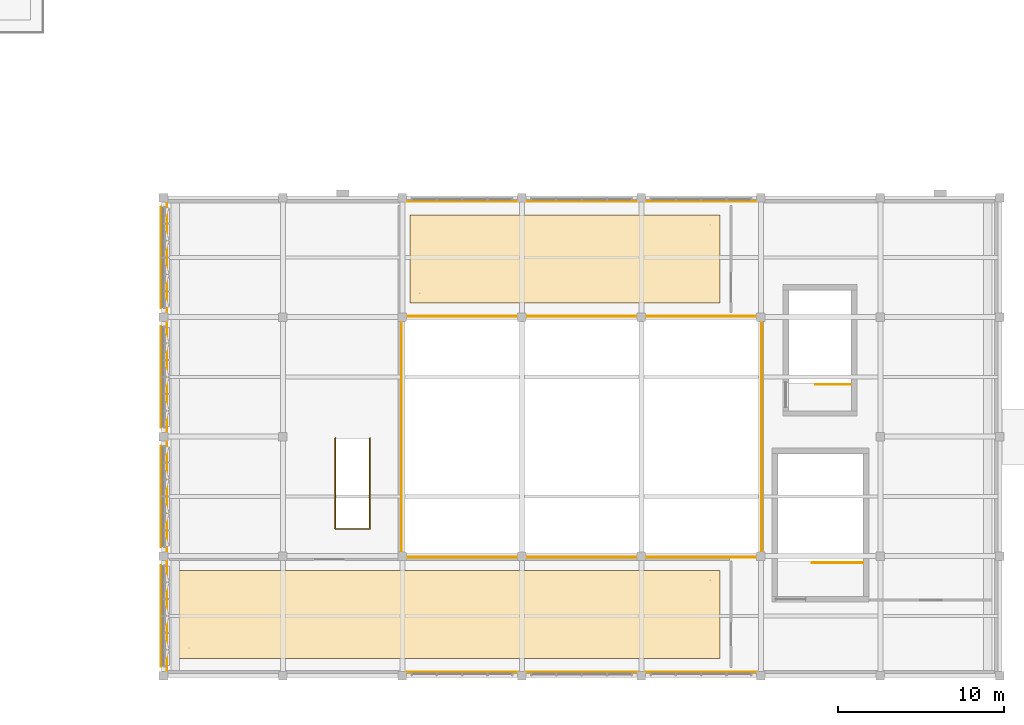
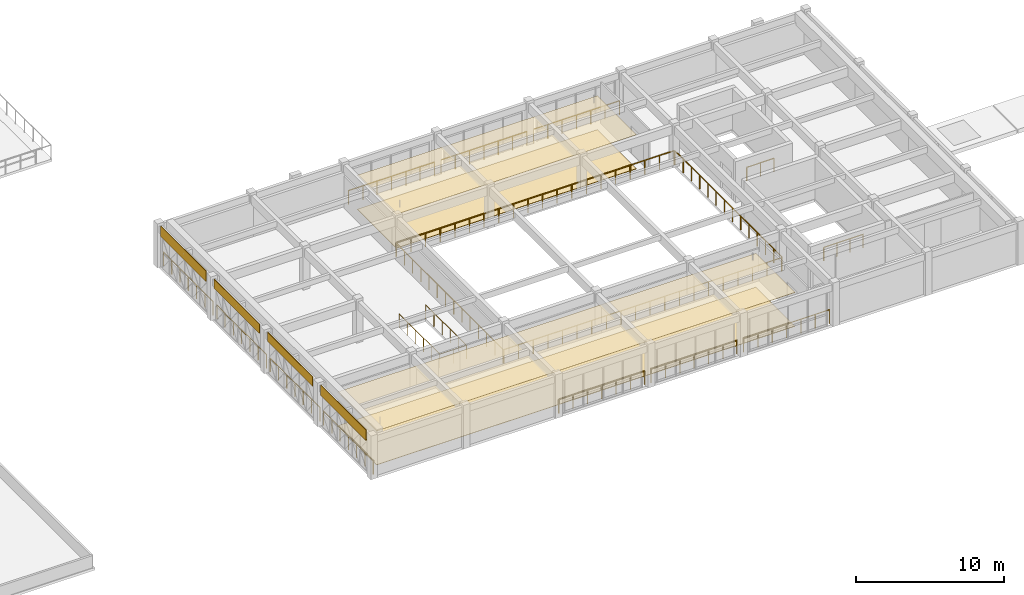
# One storey, part 63 of 74: 17 railings, 8 coverings.
"""IFC4 building model written with IfcOpenShell, lengths in metres."""

import ifcopenshell
import ifcopenshell.guid

model = None  # the IFC model being written
_history = None  # IfcOwnerHistory: only IFC2X3 demands one
_inside = {}  # id of a spatial element -> (the spatial element, [elements in it])
_under = {}  # id of a project, library or spatial element -> (it, [spatial elements below it])
_declared = {}  # id of a project -> (the project, [libraries it declares])
_typed = {}  # id of a type object -> (the type object, [elements of that type])
_made_of = {}  # id of a material, layer set ... -> (it, [elements and type objects made of it])


def new_model(schema):
    """Start an empty IFC model of exactly this schema.

    Asked for "IFC4X3", IfcOpenShell would pick the latest addendum, in which some entities
    have other attributes; the version numbers below select the first issue.
    IFC2X3 requires an IfcOwnerHistory on every rooted entity: one is made here for all.
    """
    global model, _history
    if schema == "IFC4X3":
        model = ifcopenshell.file(schema_version=(4, 3, 0, 0))
    else:
        model = ifcopenshell.file(schema=schema)
    _inside.clear()
    _under.clear()
    _declared.clear()
    _typed.clear()
    _made_of.clear()
    _history = None
    if model.schema == "IFC2X3":
        org = make("IfcOrganization", Name="unknown")
        user = make(
            "IfcPersonAndOrganization",
            ThePerson=make("IfcPerson", FamilyName="unknown"),
            TheOrganization=org,
        )
        app = make(
            "IfcApplication",
            ApplicationDeveloper=org,
            Version="unknown",
            ApplicationFullName="unknown",
            ApplicationIdentifier="unknown",
        )
        _history = make(
            "IfcOwnerHistory",
            OwningUser=user,
            OwningApplication=app,
            ChangeAction="ADDED",
            CreationDate=0,
        )
    return model


def make(cls, **values):
    """One entity of the class cls with the attributes given. An attribute that is None is left unset."""
    return model.create_entity(
        cls, **{name: value for name, value in values.items() if value is not None}
    )


def rooted(cls, **values):
    """An entity with a GlobalId (a new one), such as an element, a storey or a relation."""
    return make(cls, GlobalId=ifcopenshell.guid.new(), OwnerHistory=_history, **values)


def si_unit(unit_type, name, prefix=None):
    """IfcSIUnit, for example si_unit("LENGTHUNIT", "METRE", prefix="MILLI")."""
    return make("IfcSIUnit", UnitType=unit_type, Prefix=prefix, Name=name)


def assignment(units):
    """IfcUnitAssignment: the units of a project."""
    return None if units is None else make("IfcUnitAssignment", Units=units)


def point(xyz):
    """IfcCartesianPoint."""
    return None if xyz is None else make("IfcCartesianPoint", Coordinates=xyz)


def direction(xyz):
    """IfcDirection."""
    return None if xyz is None else make("IfcDirection", DirectionRatios=xyz)


def frame(location, z_axis=None, x_axis=None):
    """IfcAxis2Placement3D, a coordinate frame: its origin and axes. An axis left out is left unset."""
    return make(
        "IfcAxis2Placement3D",
        Location=point(location),
        Axis=direction(z_axis),
        RefDirection=direction(x_axis),
    )


def frame_2d(location, x_axis=None):
    """IfcAxis2Placement2D, a coordinate frame in the plane: its origin and x axis."""
    return make(
        "IfcAxis2Placement2D", Location=point(location), RefDirection=direction(x_axis)
    )


def origin():
    """The frame at (0, 0, 0) with its axes left unset."""
    return frame((0.0, 0.0, 0.0))


def origin_2d():
    """The frame at (0, 0) in the plane with its x axis left unset."""
    return frame_2d((0.0, 0.0))


def place(relative_to, where):
    """IfcLocalPlacement: puts the frame where relative to a parent placement (None: the world)."""
    return make(
        "IfcLocalPlacement", PlacementRelTo=relative_to, RelativePlacement=where
    )


def context(
    kind, dimensions, precision=None, world=None, true_north=None, identifier=None
):
    """IfcGeometricRepresentationContext, for example the 3D "Model" context."""
    return make(
        "IfcGeometricRepresentationContext",
        ContextIdentifier=identifier,
        ContextType=kind,
        CoordinateSpaceDimension=dimensions,
        Precision=precision,
        WorldCoordinateSystem=world,
        TrueNorth=true_north,
    )


def subcontext(parent, identifier, kind, view, scale=None):
    """IfcGeometricRepresentationSubContext, for example "Body" below "Model"."""
    return make(
        "IfcGeometricRepresentationSubContext",
        ContextIdentifier=identifier,
        ContextType=kind,
        ParentContext=parent,
        TargetScale=scale,
        TargetView=view,
    )


def project(units=None, contexts=None):
    """IfcProject with its units and contexts."""
    return rooted(
        "IfcProject",
        Name="project",
        RepresentationContexts=contexts,
        UnitsInContext=assignment(units),
    )


def spatial(cls, under=None, at=None, **own):
    """A site, building, storey or space (cls), placed at a placement, below another one or the project."""
    s = rooted(cls, ObjectPlacement=at, **own)
    if under is not None:
        _under.setdefault(under.id(), (under, []))[1].append(s)
    return s


def polyline(points):
    """IfcPolyline through the points."""
    return make("IfcPolyline", Points=[point(p) for p in points])


def profile(cls, at=None, kind="AREA", **sizes):
    """A parametric profile (cls). Its sizes go by their IFC names, for example OverallWidth=200.0."""
    return make(cls, ProfileType=kind, Position=at, **sizes)


def circle(**sizes):
    """IfcCircleProfileDef."""
    return profile("IfcCircleProfileDef", **sizes)


def outline(outer, holes=None, kind="AREA"):
    """IfcArbitraryClosedProfileDef: a profile drawn as a closed curve; with holes, ...WithVoids."""
    if holes is None:
        return make("IfcArbitraryClosedProfileDef", ProfileType=kind, OuterCurve=outer)
    return make(
        "IfcArbitraryProfileDefWithVoids",
        ProfileType=kind,
        OuterCurve=outer,
        InnerCurves=holes,
    )


def extrude(swept, where, along, depth):
    """IfcExtrudedAreaSolid: the profile swept, set in the frame where, extruded along a direction by depth."""
    return make(
        "IfcExtrudedAreaSolid",
        SweptArea=swept,
        Position=where,
        ExtrudedDirection=direction(along),
        Depth=depth,
    )


def shape(context_of_items, identifier, shape_type, items):
    """IfcShapeRepresentation: the items that make up one representation, for example the "Body"."""
    return make(
        "IfcShapeRepresentation",
        ContextOfItems=context_of_items,
        RepresentationIdentifier=identifier,
        RepresentationType=shape_type,
        Items=items,
    )


def material(Name=None, Category=None):
    """IfcMaterial."""
    return make("IfcMaterial", Name=Name, Category=Category)


def layer(
    of_material, thickness, ventilated=None, Name=None, Category=None, Priority=None
):
    """IfcMaterialLayer: one layer of a wall or slab, of a material (None: an air gap)."""
    return make(
        "IfcMaterialLayer",
        Material=of_material,
        LayerThickness=thickness,
        IsVentilated=ventilated,
        Name=Name,
        Category=Category,
        Priority=Priority,
    )


def layer_set(layers, Name=None):
    """IfcMaterialLayerSet."""
    return make("IfcMaterialLayerSet", MaterialLayers=layers, LayerSetName=Name)


def made_of(thing, what):
    """Note that an element or type object is made of a material, layer set ...; save() writes the relation."""
    if what is not None:
        _made_of.setdefault(what.id(), (what, []))[1].append(thing)
    return thing


def type_object(cls, material=None, **own):
    """A type object (cls), such as IfcWallType, which elements share."""
    return made_of(rooted(cls, **own), material)


def element(
    cls,
    number,
    at=None,
    inside=None,
    cuts=None,
    type_object=None,
    material=None,
    context=None,
    identifier="Body",
    shape_type=None,
    held_by="IfcProductDefinitionShape",
    body=None,
    shapes=None,
    **own,
):
    """One element of the class cls, such as IfcWall. Its Tag is "e" and its number.

    at: its placement. inside: the storey or other place that contains it. cuts: it is an
    opening in that element (IfcRelVoidsElement). A single representation is given by context,
    identifier, shape_type and body (its items); several are given by shapes. held_by: the class
    of the entity that holds the representations. save() writes the other relations.
    """
    e = rooted(cls, Tag="e%d" % number, ObjectPlacement=at, **own)
    if body is not None:
        shapes = [shape(context, identifier, shape_type, body)]
    if shapes is not None:
        e.Representation = make(held_by, Representations=shapes)
    if inside is not None:
        _inside.setdefault(inside.id(), (inside, []))[1].append(e)
    if cuts is not None:
        rooted(
            "IfcRelVoidsElement", RelatingBuildingElement=cuts, RelatedOpeningElement=e
        )
    if type_object is not None:
        _typed.setdefault(type_object.id(), (type_object, []))[1].append(e)
    return made_of(e, material)


def aggregate(whole, parts):
    """IfcRelAggregates: a whole, such as a stair, and the parts it consists of."""
    return rooted("IfcRelAggregates", RelatingObject=whole, RelatedObjects=parts)


def save(model, path):
    """Write the relations noted so far, then the file.

    IfcRelAggregates (storeys below a building ...), IfcRelContainedInSpatialStructure (elements
    in a storey), IfcRelDefinesByType, IfcRelAssociatesMaterial and IfcRelDeclares: one each for
    every whole, place, type object, material and project.
    """
    for whole, parts in _under.values():
        aggregate(whole, parts)
    for where, things in _inside.values():
        rooted(
            "IfcRelContainedInSpatialStructure",
            RelatedElements=things,
            RelatingStructure=where,
        )
    for kind, things in _typed.values():
        rooted("IfcRelDefinesByType", RelatedObjects=things, RelatingType=kind)
    for what, things in _made_of.values():
        rooted("IfcRelAssociatesMaterial", RelatedObjects=things, RelatingMaterial=what)
    for by, libraries in _declared.values():
        rooted("IfcRelDeclares", RelatingContext=by, RelatedDefinitions=libraries)
    model.write(path)


model = new_model("IFC4")

# Units and contexts
model_context = context("Model", 3, precision=1e-05, world=origin(), true_north=direction((0.0, 1.0)))
body_context = subcontext(model_context, "Body", "Model", "MODEL_VIEW")
ifc_project = project(units=[si_unit("LENGTHUNIT", "METRE"), si_unit("AREAUNIT", "SQUARE_METRE"), si_unit("VOLUMEUNIT", "CUBIC_METRE"), si_unit("PLANEANGLEUNIT", "RADIAN"), si_unit("MASSUNIT", "GRAM", prefix="KILO")], contexts=[model_context])

# Site, building, storey
site_placement = place(None, origin())
site = spatial("IfcSite", under=ifc_project, at=site_placement, CompositionType="ELEMENT")
building_placement = place(site_placement, origin())
building = spatial("IfcBuilding", under=site, at=building_placement, Name="Alvorim Cloister Faculty of Sciences", CompositionType="ELEMENT")
storey_placement = place(building_placement, frame((0.0, 0.0, 15.75)))
storey = spatial("IfcBuildingStorey", under=building, at=storey_placement, Name="L04", CompositionType="ELEMENT", Elevation=15.75)

# Coverings
ifc_material_1 = material(Name="Perforated Timber Acoustic Ceiling", Category="wood")
ifc_layer_1 = layer(ifc_material_1, 0.030029296875)
ifc_layer_set_1 = layer_set([ifc_layer_1], Name="Perforated Timber Acoustic Ceiling")
covering_type_1 = type_object("IfcCoveringType", Name="COV-CEIL-ACOUSTIC", PredefinedType="CEILING", material=ifc_layer_set_1)
covering_1_placement = place(storey_placement, frame((0.0, 0.0, 2.7900390625)))
element("IfcCovering", 1, at=covering_1_placement, inside=storey, type_object=covering_type_1, Name="Vaulted Crown South Colloquium Acoustic Ceiling", PredefinedType="CEILING", context=body_context, shape_type="SweptSolid", body=[
    extrude(outline(polyline([(65.75, 1.050048828125), (98.35009765625, 1.050048828125), (98.35009765625, 6.35009765625), (65.75, 6.35009765625), (65.75, 1.050048828125)])), origin(), (0.0, 0.0, 1.0), 0.030029296875),
])
covering_2_placement = place(storey_placement, frame((0.0, 0.0, 2.7900390625)))
element("IfcCovering", 2, at=covering_2_placement, inside=storey, type_object=covering_type_1, Name="Atrium L04 North Belvedere Study Acoustic Ceiling", PredefinedType="CEILING", context=body_context, shape_type="SweptSolid", body=[
    extrude(outline(polyline([(79.64990234375, 22.449951171875), (98.35009765625, 22.449951171875), (98.35009765625, 27.75), (79.64990234375, 27.75), (79.64990234375, 22.449951171875)])), origin(), (0.0, 0.0, 1.0), 0.030029296875),
])
ifc_material_2 = material(Name="Anodised Aluminium Alloy 6063-T6", Category="aluminium")
ifc_layer_2 = layer(ifc_material_2, 0.031982421875)
ifc_layer_set_2 = layer_set([ifc_layer_2], Name="Anodised Aluminium Alloy 6063-T6")
covering_type_2 = type_object("IfcCoveringType", Name="COV-FAC-CAS", PredefinedType="CLADDING", material=ifc_layer_set_2)
covering_3_placement = place(storey_placement, frame((64.64990234375, 0.5400390625, 2.7255859375), z_axis=(0.0, 0.0, 1.0), x_axis=(0.0, 1.0, 0.0)))
element("IfcCovering", 3, at=covering_3_placement, inside=storey, type_object=covering_type_2, Name="L04 Shifted Bar Slab-Edge Architectural Fascia", PredefinedType="CLADDING", context=body_context, shape_type="SweptSolid", body=[
    extrude(outline(polyline([(0.0, 0.0), (6.1201171875, 0.0), (6.1201171875, 0.864501953125), (0.0, 0.864501953125), (0.0, 0.0)])), frame((0.0, 0.0224609375, 0.0), z_axis=(0.0, -1.0, 0.0), x_axis=(1.0, 0.0, 0.0)), (0.0, 0.0, 1.0), 0.044921875),
])
for number, where, z_axis, x_axis, name in (
    (4, (64.64990234375, 7.739990234375, 2.830078125), (0.0, 0.0, 1.0), (0.0, 1.0, 0.0), "L04 Shifted Bar Slab-Edge Architectural Fascia"),
    (5, (64.64990234375, 14.93994140625, 2.830078125), (0.0, 0.0, 1.0), (0.0, 1.0, 0.0), "L04 Shifted Bar Slab-Edge Architectural Fascia"),
):
    element("IfcCovering", number, at=place(storey_placement, frame(where, z_axis=z_axis, x_axis=x_axis)), inside=storey, type_object=covering_type_2, Name=name, PredefinedType="CLADDING", context=body_context, shape_type="SweptSolid", body=[
        extrude(outline(polyline([(0.0, 0.0), (6.1201171875, 0.0), (6.1201171875, 0.760009765625), (0.0, 0.760009765625), (0.0, 0.0)])), frame((0.0, 0.0224609375, 0.0), z_axis=(0.0, -1.0, 0.0), x_axis=(1.0, 0.0, 0.0)), (0.0, 0.0, 1.0), 0.044921875),
    ])
covering_4_placement = place(storey_placement, frame((64.64990234375, 22.139892578125, 2.7255859375), z_axis=(0.0, 0.0, 1.0), x_axis=(0.0, 1.0, 0.0)))
element("IfcCovering", 6, at=covering_4_placement, inside=storey, type_object=covering_type_2, Name="L04 Shifted Bar Slab-Edge Architectural Fascia", PredefinedType="CLADDING", context=body_context, shape_type="SweptSolid", body=[
    extrude(outline(polyline([(0.0, 0.0), (6.1201171875, 0.0), (6.1201171875, 0.864501953125), (0.0, 0.864501953125), (0.0, 0.0)])), frame((0.0, 0.0224609375, 0.0), z_axis=(0.0, -1.0, 0.0), x_axis=(1.0, 0.0, 0.0)), (0.0, 0.0, 1.0), 0.044921875),
])
ifc_material_3 = material(Name="Polished Mineral Terrazzo", Category="concrete")
ifc_layer_3 = layer(ifc_material_3, 0.030029296875)
ifc_layer_set_3 = layer_set([ifc_layer_3], Name="Polished Mineral Terrazzo")
covering_type_3 = type_object("IfcCoveringType", Name="COV-FLR-TERRAZZO", PredefinedType="FLOORING", material=ifc_layer_set_3)
covering_5_placement = place(storey_placement, origin())
element("IfcCovering", 7, at=covering_5_placement, inside=storey, type_object=covering_type_3, Name="Vaulted Crown South Colloquium Floor Finish", PredefinedType="FLOORING", context=body_context, shape_type="SweptSolid", body=[
    extrude(outline(polyline([(65.75, 1.050048828125), (98.35009765625, 1.050048828125), (98.35009765625, 6.35009765625), (65.75, 6.35009765625), (65.75, 1.050048828125)])), origin(), (0.0, 0.0, 1.0), 0.030029296875),
])
covering_6_placement = place(storey_placement, origin())
element("IfcCovering", 8, at=covering_6_placement, inside=storey, type_object=covering_type_3, Name="Atrium L04 North Belvedere Study Floor Finish", PredefinedType="FLOORING", context=body_context, shape_type="SweptSolid", body=[
    extrude(outline(polyline([(79.64990234375, 22.449951171875), (98.35009765625, 22.449951171875), (98.35009765625, 27.75), (79.64990234375, 27.75), (79.64990234375, 22.449951171875)])), origin(), (0.0, 0.0, 1.0), 0.030029296875),
])

# Railings
ifc_material_4 = material(Name="Laminated Safety Glass and Bronze", Category="glass")
railing_type_1 = type_object("IfcRailingType", Name="RL-ATR-BAL-1150", PredefinedType="BALUSTRADE", material=ifc_material_4)
railing_1_placement = place(storey_placement, frame((93.85009765625, 0.219970703125, 0.0)))
element("IfcRailing", 9, at=railing_1_placement, inside=storey, type_object=railing_type_1, Name="L04 Curtain Wall Sill Guard BL-197", PredefinedType="BALUSTRADE", context=body_context, shape_type="SweptSolid", body=[
    extrude(circle(Radius=0.02392578125, at=origin_2d()), frame((0.0, 0.0, 1.1259765625), z_axis=(1.0, 0.0, 0.0), x_axis=(0.0, 1.0, 0.0)), (0.0, 0.0, 1.0), 6.699951171875),
    extrude(circle(Radius=0.02099609375, at=origin_2d()), origin(), (0.0, 0.0, 1.0), 1.101806640625),
    extrude(circle(Radius=0.02099609375, at=origin_2d()), frame((1.11669921875, 0.0, 0.0)), (0.0, 0.0, 1.0), 1.101806640625),
    extrude(circle(Radius=0.02099609375, at=origin_2d()), frame((2.2333984375, 0.0, 0.0)), (0.0, 0.0, 1.0), 1.101806640625),
    extrude(circle(Radius=0.02099609375, at=origin_2d()), frame((3.35009765625, 0.0, 0.0)), (0.0, 0.0, 1.0), 1.101806640625),
    extrude(circle(Radius=0.02099609375, at=origin_2d()), frame((4.466552734375, 0.0, 0.0)), (0.0, 0.0, 1.0), 1.101806640625),
    extrude(circle(Radius=0.02099609375, at=origin_2d()), frame((5.583251953125, 0.0, 0.0)), (0.0, 0.0, 1.0), 1.101806640625),
    extrude(circle(Radius=0.02099609375, at=origin_2d()), frame((6.699951171875, 0.0, 0.0)), (0.0, 0.0, 1.0), 1.101806640625),
])
railing_2_placement = place(storey_placement, frame((86.64990234375, 0.219970703125, 0.0)))
element("IfcRailing", 10, at=railing_2_placement, inside=storey, type_object=railing_type_1, Name="L04 Curtain Wall Sill Guard BL-198", PredefinedType="BALUSTRADE", context=body_context, shape_type="SweptSolid", body=[
    extrude(circle(Radius=0.02392578125, at=origin_2d()), frame((0.0, 0.0, 1.1259765625), z_axis=(1.0, 0.0, 0.0), x_axis=(0.0, 1.0, 0.0)), (0.0, 0.0, 1.0), 6.7001953125),
    extrude(circle(Radius=0.02099609375, at=origin_2d()), origin(), (0.0, 0.0, 1.0), 1.101806640625),
    extrude(circle(Radius=0.02099609375, at=origin_2d()), frame((1.11669921875, 0.0, 0.0)), (0.0, 0.0, 1.0), 1.101806640625),
    extrude(circle(Radius=0.02099609375, at=origin_2d()), frame((2.2333984375, 0.0, 0.0)), (0.0, 0.0, 1.0), 1.101806640625),
    extrude(circle(Radius=0.02099609375, at=origin_2d()), frame((3.35009765625, 0.0, 0.0)), (0.0, 0.0, 1.0), 1.101806640625),
    extrude(circle(Radius=0.02099609375, at=origin_2d()), frame((4.466796875, 0.0, 0.0)), (0.0, 0.0, 1.0), 1.101806640625),
    extrude(circle(Radius=0.02099609375, at=origin_2d()), frame((5.58349609375, 0.0, 0.0)), (0.0, 0.0, 1.0), 1.101806640625),
    extrude(circle(Radius=0.02099609375, at=origin_2d()), frame((6.7001953125, 0.0, 0.0)), (0.0, 0.0, 1.0), 1.101806640625),
])
railing_3_placement = place(storey_placement, frame((79.449951171875, 0.219970703125, 0.0)))
element("IfcRailing", 11, at=railing_3_placement, inside=storey, type_object=railing_type_1, Name="L04 Curtain Wall Sill Guard BL-199", PredefinedType="BALUSTRADE", context=body_context, shape_type="SweptSolid", body=[
    extrude(circle(Radius=0.02392578125, at=origin_2d()), frame((0.0, 0.0, 1.1259765625), z_axis=(1.0, 0.0, 0.0), x_axis=(0.0, 1.0, 0.0)), (0.0, 0.0, 1.0), 6.699951171875),
    extrude(circle(Radius=0.02099609375, at=origin_2d()), origin(), (0.0, 0.0, 1.0), 1.101806640625),
    extrude(circle(Radius=0.02099609375, at=origin_2d()), frame((1.11669921875, 0.0, 0.0)), (0.0, 0.0, 1.0), 1.101806640625),
    extrude(circle(Radius=0.02099609375, at=origin_2d()), frame((2.2333984375, 0.0, 0.0)), (0.0, 0.0, 1.0), 1.101806640625),
    extrude(circle(Radius=0.02099609375, at=origin_2d()), frame((3.35009765625, 0.0, 0.0)), (0.0, 0.0, 1.0), 1.101806640625),
    extrude(circle(Radius=0.02099609375, at=origin_2d()), frame((4.466552734375, 0.0, 0.0)), (0.0, 0.0, 1.0), 1.101806640625),
    extrude(circle(Radius=0.02099609375, at=origin_2d()), frame((5.583251953125, 0.0, 0.0)), (0.0, 0.0, 1.0), 1.101806640625),
    extrude(circle(Radius=0.02099609375, at=origin_2d()), frame((6.699951171875, 0.0, 0.0)), (0.0, 0.0, 1.0), 1.101806640625),
])
for number, where, name in (
    (12, (65.02001953125, 0.25, 0.0), "L04 Curtain Wall Sill Guard BL-200"),
    (13, (65.02001953125, 7.449951171875, 0.0), "L04 Curtain Wall Sill Guard BL-201"),
):
    element("IfcRailing", number, at=place(storey_placement, frame(where)), inside=storey, type_object=railing_type_1, Name=name, PredefinedType="BALUSTRADE", context=body_context, shape_type="SweptSolid", body=[
        extrude(circle(Radius=0.02392578125, at=origin_2d()), frame((0.0, 0.0, 1.1259765625), z_axis=(0.0, 1.0, 0.0), x_axis=(-1.0, 0.0, 0.0)), (0.0, 0.0, 1.0), 6.699951171875),
        extrude(circle(Radius=0.02099609375, at=origin_2d()), origin(), (0.0, 0.0, 1.0), 1.101806640625),
        extrude(circle(Radius=0.02099609375, at=origin_2d()), frame((0.0, 1.11669921875, 0.0)), (0.0, 0.0, 1.0), 1.101806640625),
        extrude(circle(Radius=0.02099609375, at=origin_2d()), frame((0.0, 2.2333984375, 0.0)), (0.0, 0.0, 1.0), 1.101806640625),
        extrude(circle(Radius=0.02099609375, at=origin_2d()), frame((0.0, 3.35009765625, 0.0)), (0.0, 0.0, 1.0), 1.101806640625),
        extrude(circle(Radius=0.02099609375, at=origin_2d()), frame((0.0, 4.466552734375, 0.0)), (0.0, 0.0, 1.0), 1.101806640625),
        extrude(circle(Radius=0.02099609375, at=origin_2d()), frame((0.0, 5.583251953125, 0.0)), (0.0, 0.0, 1.0), 1.101806640625),
        extrude(circle(Radius=0.02099609375, at=origin_2d()), frame((0.0, 6.699951171875, 0.0)), (0.0, 0.0, 1.0), 1.101806640625),
    ])
railing_4_placement = place(storey_placement, frame((65.02001953125, 14.64990234375, 0.0)))
element("IfcRailing", 14, at=railing_4_placement, inside=storey, type_object=railing_type_1, Name="L04 Curtain Wall Sill Guard BL-202", PredefinedType="BALUSTRADE", context=body_context, shape_type="SweptSolid", body=[
    extrude(circle(Radius=0.02392578125, at=origin_2d()), frame((0.0, 0.0, 1.1259765625), z_axis=(0.0, 1.0, 0.0), x_axis=(-1.0, 0.0, 0.0)), (0.0, 0.0, 1.0), 6.7001953125),
    extrude(circle(Radius=0.02099609375, at=origin_2d()), origin(), (0.0, 0.0, 1.0), 1.101806640625),
    extrude(circle(Radius=0.02099609375, at=origin_2d()), frame((0.0, 1.11669921875, 0.0)), (0.0, 0.0, 1.0), 1.101806640625),
    extrude(circle(Radius=0.02099609375, at=origin_2d()), frame((0.0, 2.2333984375, 0.0)), (0.0, 0.0, 1.0), 1.101806640625),
    extrude(circle(Radius=0.02099609375, at=origin_2d()), frame((0.0, 3.35009765625, 0.0)), (0.0, 0.0, 1.0), 1.101806640625),
    extrude(circle(Radius=0.02099609375, at=origin_2d()), frame((0.0, 4.466796875, 0.0)), (0.0, 0.0, 1.0), 1.101806640625),
    extrude(circle(Radius=0.02099609375, at=origin_2d()), frame((0.0, 5.58349609375, 0.0)), (0.0, 0.0, 1.0), 1.101806640625),
    extrude(circle(Radius=0.02099609375, at=origin_2d()), frame((0.0, 6.7001953125, 0.0)), (0.0, 0.0, 1.0), 1.101806640625),
])
railing_5_placement = place(storey_placement, frame((65.02001953125, 21.85009765625, 0.0)))
element("IfcRailing", 15, at=railing_5_placement, inside=storey, type_object=railing_type_1, Name="L04 Curtain Wall Sill Guard BL-203", PredefinedType="BALUSTRADE", context=body_context, shape_type="SweptSolid", body=[
    extrude(circle(Radius=0.02392578125, at=origin_2d()), frame((0.0, 0.0, 1.1259765625), z_axis=(0.0, 1.0, 0.0), x_axis=(-1.0, 0.0, 0.0)), (0.0, 0.0, 1.0), 6.699951171875),
    extrude(circle(Radius=0.02099609375, at=origin_2d()), origin(), (0.0, 0.0, 1.0), 1.101806640625),
    extrude(circle(Radius=0.02099609375, at=origin_2d()), frame((0.0, 1.11669921875, 0.0)), (0.0, 0.0, 1.0), 1.101806640625),
    extrude(circle(Radius=0.02099609375, at=origin_2d()), frame((0.0, 2.2333984375, 0.0)), (0.0, 0.0, 1.0), 1.101806640625),
    extrude(circle(Radius=0.02099609375, at=origin_2d()), frame((0.0, 3.35009765625, 0.0)), (0.0, 0.0, 1.0), 1.101806640625),
    extrude(circle(Radius=0.02099609375, at=origin_2d()), frame((0.0, 4.466552734375, 0.0)), (0.0, 0.0, 1.0), 1.101806640625),
    extrude(circle(Radius=0.02099609375, at=origin_2d()), frame((0.0, 5.583251953125, 0.0)), (0.0, 0.0, 1.0), 1.101806640625),
    extrude(circle(Radius=0.02099609375, at=origin_2d()), frame((0.0, 6.699951171875, 0.0)), (0.0, 0.0, 1.0), 1.101806640625),
])
railing_6_placement = place(storey_placement, frame((79.449951171875, 28.580078125, 0.0)))
element("IfcRailing", 16, at=railing_6_placement, inside=storey, type_object=railing_type_1, Name="L04 Curtain Wall Sill Guard BL-204", PredefinedType="BALUSTRADE", context=body_context, shape_type="SweptSolid", body=[
    extrude(circle(Radius=0.02392578125, at=origin_2d()), frame((0.0, 0.0, 1.1259765625), z_axis=(1.0, 0.0, 0.0), x_axis=(0.0, 1.0, 0.0)), (0.0, 0.0, 1.0), 6.699951171875),
    extrude(circle(Radius=0.02099609375, at=origin_2d()), origin(), (0.0, 0.0, 1.0), 1.101806640625),
    extrude(circle(Radius=0.02099609375, at=origin_2d()), frame((1.11669921875, 0.0, 0.0)), (0.0, 0.0, 1.0), 1.101806640625),
    extrude(circle(Radius=0.02099609375, at=origin_2d()), frame((2.2333984375, 0.0, 0.0)), (0.0, 0.0, 1.0), 1.101806640625),
    extrude(circle(Radius=0.02099609375, at=origin_2d()), frame((3.35009765625, 0.0, 0.0)), (0.0, 0.0, 1.0), 1.101806640625),
    extrude(circle(Radius=0.02099609375, at=origin_2d()), frame((4.466552734375, 0.0, 0.0)), (0.0, 0.0, 1.0), 1.101806640625),
    extrude(circle(Radius=0.02099609375, at=origin_2d()), frame((5.583251953125, 0.0, 0.0)), (0.0, 0.0, 1.0), 1.101806640625),
    extrude(circle(Radius=0.02099609375, at=origin_2d()), frame((6.699951171875, 0.0, 0.0)), (0.0, 0.0, 1.0), 1.101806640625),
])
railing_7_placement = place(storey_placement, frame((86.64990234375, 28.580078125, 0.0)))
element("IfcRailing", 17, at=railing_7_placement, inside=storey, type_object=railing_type_1, Name="L04 Curtain Wall Sill Guard BL-205", PredefinedType="BALUSTRADE", context=body_context, shape_type="SweptSolid", body=[
    extrude(circle(Radius=0.02392578125, at=origin_2d()), frame((0.0, 0.0, 1.1259765625), z_axis=(1.0, 0.0, 0.0), x_axis=(0.0, 1.0, 0.0)), (0.0, 0.0, 1.0), 6.7001953125),
    extrude(circle(Radius=0.02099609375, at=origin_2d()), origin(), (0.0, 0.0, 1.0), 1.101806640625),
    extrude(circle(Radius=0.02099609375, at=origin_2d()), frame((1.11669921875, 0.0, 0.0)), (0.0, 0.0, 1.0), 1.101806640625),
    extrude(circle(Radius=0.02099609375, at=origin_2d()), frame((2.2333984375, 0.0, 0.0)), (0.0, 0.0, 1.0), 1.101806640625),
    extrude(circle(Radius=0.02099609375, at=origin_2d()), frame((3.35009765625, 0.0, 0.0)), (0.0, 0.0, 1.0), 1.101806640625),
    extrude(circle(Radius=0.02099609375, at=origin_2d()), frame((4.466796875, 0.0, 0.0)), (0.0, 0.0, 1.0), 1.101806640625),
    extrude(circle(Radius=0.02099609375, at=origin_2d()), frame((5.58349609375, 0.0, 0.0)), (0.0, 0.0, 1.0), 1.101806640625),
    extrude(circle(Radius=0.02099609375, at=origin_2d()), frame((6.7001953125, 0.0, 0.0)), (0.0, 0.0, 1.0), 1.101806640625),
])
railing_8_placement = place(storey_placement, frame((93.85009765625, 28.580078125, 0.0)))
element("IfcRailing", 18, at=railing_8_placement, inside=storey, type_object=railing_type_1, Name="L04 Curtain Wall Sill Guard BL-206", PredefinedType="BALUSTRADE", context=body_context, shape_type="SweptSolid", body=[
    extrude(circle(Radius=0.02392578125, at=origin_2d()), frame((0.0, 0.0, 1.1259765625), z_axis=(1.0, 0.0, 0.0), x_axis=(0.0, 1.0, 0.0)), (0.0, 0.0, 1.0), 6.699951171875),
    extrude(circle(Radius=0.02099609375, at=origin_2d()), origin(), (0.0, 0.0, 1.0), 1.101806640625),
    extrude(circle(Radius=0.02099609375, at=origin_2d()), frame((1.11669921875, 0.0, 0.0)), (0.0, 0.0, 1.0), 1.101806640625),
    extrude(circle(Radius=0.02099609375, at=origin_2d()), frame((2.2333984375, 0.0, 0.0)), (0.0, 0.0, 1.0), 1.101806640625),
    extrude(circle(Radius=0.02099609375, at=origin_2d()), frame((3.35009765625, 0.0, 0.0)), (0.0, 0.0, 1.0), 1.101806640625),
    extrude(circle(Radius=0.02099609375, at=origin_2d()), frame((4.466552734375, 0.0, 0.0)), (0.0, 0.0, 1.0), 1.101806640625),
    extrude(circle(Radius=0.02099609375, at=origin_2d()), frame((5.583251953125, 0.0, 0.0)), (0.0, 0.0, 1.0), 1.101806640625),
    extrude(circle(Radius=0.02099609375, at=origin_2d()), frame((6.699951171875, 0.0, 0.0)), (0.0, 0.0, 1.0), 1.101806640625),
])
railing_9_placement = place(storey_placement, frame((79.18994140625, 7.139892578125, 0.0)))
element("IfcRailing", 19, at=railing_9_placement, inside=storey, type_object=railing_type_1, Name="L04 Atrium Void Balustrade BL-327", PredefinedType="BALUSTRADE", context=body_context, shape_type="SweptSolid", body=[
    extrude(circle(Radius=0.02392578125, at=origin_2d()), frame((0.0, 0.0, 1.1259765625), z_axis=(1.0, 0.0, 0.0), x_axis=(0.0, 1.0, 0.0)), (0.0, 0.0, 1.0), 21.6201171875),
    extrude(circle(Radius=0.02099609375, at=origin_2d()), origin(), (0.0, 0.0, 1.0), 1.101806640625),
    extrude(circle(Radius=0.02099609375, at=origin_2d()), frame((1.137939453125, 0.0, 0.0)), (0.0, 0.0, 1.0), 1.101806640625),
    extrude(circle(Radius=0.02099609375, at=origin_2d()), frame((2.27587890625, 0.0, 0.0)), (0.0, 0.0, 1.0), 1.101806640625),
    extrude(circle(Radius=0.02099609375, at=origin_2d()), frame((3.413818359375, 0.0, 0.0)), (0.0, 0.0, 1.0), 1.101806640625),
    extrude(circle(Radius=0.02099609375, at=origin_2d()), frame((4.551513671875, 0.0, 0.0)), (0.0, 0.0, 1.0), 1.101806640625),
    extrude(circle(Radius=0.02099609375, at=origin_2d()), frame((5.689453125, 0.0, 0.0)), (0.0, 0.0, 1.0), 1.101806640625),
    extrude(circle(Radius=0.02099609375, at=origin_2d()), frame((6.827392578125, 0.0, 0.0)), (0.0, 0.0, 1.0), 1.101806640625),
    extrude(circle(Radius=0.02099609375, at=origin_2d()), frame((7.96533203125, 0.0, 0.0)), (0.0, 0.0, 1.0), 1.101806640625),
    extrude(circle(Radius=0.02099609375, at=origin_2d()), frame((9.103271484375, 0.0, 0.0)), (0.0, 0.0, 1.0), 1.101806640625),
    extrude(circle(Radius=0.02099609375, at=origin_2d()), frame((10.2412109375, 0.0, 0.0)), (0.0, 0.0, 1.0), 1.101806640625),
    extrude(circle(Radius=0.02099609375, at=origin_2d()), frame((11.37890625, 0.0, 0.0)), (0.0, 0.0, 1.0), 1.101806640625),
    extrude(circle(Radius=0.02099609375, at=origin_2d()), frame((12.516845703125, 0.0, 0.0)), (0.0, 0.0, 1.0), 1.101806640625),
    extrude(circle(Radius=0.02099609375, at=origin_2d()), frame((13.65478515625, 0.0, 0.0)), (0.0, 0.0, 1.0), 1.101806640625),
    extrude(circle(Radius=0.02099609375, at=origin_2d()), frame((14.792724609375, 0.0, 0.0)), (0.0, 0.0, 1.0), 1.101806640625),
    extrude(circle(Radius=0.02099609375, at=origin_2d()), frame((15.9306640625, 0.0, 0.0)), (0.0, 0.0, 1.0), 1.101806640625),
    extrude(circle(Radius=0.02099609375, at=origin_2d()), frame((17.068603515625, 0.0, 0.0)), (0.0, 0.0, 1.0), 1.101806640625),
    extrude(circle(Radius=0.02099609375, at=origin_2d()), frame((18.206298828125, 0.0, 0.0)), (0.0, 0.0, 1.0), 1.101806640625),
    extrude(circle(Radius=0.02099609375, at=origin_2d()), frame((19.34423828125, 0.0, 0.0)), (0.0, 0.0, 1.0), 1.101806640625),
    extrude(circle(Radius=0.02099609375, at=origin_2d()), frame((20.482177734375, 0.0, 0.0)), (0.0, 0.0, 1.0), 1.101806640625),
    extrude(circle(Radius=0.02099609375, at=origin_2d()), frame((21.6201171875, 0.0, 0.0)), (0.0, 0.0, 1.0), 1.101806640625),
])
railing_10_placement = place(storey_placement, frame((100.860107421875, 7.18994140625, 0.0)))
element("IfcRailing", 20, at=railing_10_placement, inside=storey, type_object=railing_type_1, Name="L04 Atrium Void Balustrade BL-328", PredefinedType="BALUSTRADE", context=body_context, shape_type="SweptSolid", body=[
    extrude(circle(Radius=0.02392578125, at=origin_2d()), frame((0.0, 0.0, 1.1259765625), z_axis=(0.0, 1.0, 0.0), x_axis=(-1.0, 0.0, 0.0)), (0.0, 0.0, 1.0), 14.420166015625),
    extrude(circle(Radius=0.02099609375, at=origin_2d()), origin(), (0.0, 0.0, 1.0), 1.101806640625),
    extrude(circle(Radius=0.02099609375, at=origin_2d()), frame((0.0, 1.109130859375, 0.0)), (0.0, 0.0, 1.0), 1.101806640625),
    extrude(circle(Radius=0.02099609375, at=origin_2d()), frame((0.0, 2.218505859375, 0.0)), (0.0, 0.0, 1.0), 1.101806640625),
    extrude(circle(Radius=0.02099609375, at=origin_2d()), frame((0.0, 3.32763671875, 0.0)), (0.0, 0.0, 1.0), 1.101806640625),
    extrude(circle(Radius=0.02099609375, at=origin_2d()), frame((0.0, 4.43701171875, 0.0)), (0.0, 0.0, 1.0), 1.101806640625),
    extrude(circle(Radius=0.02099609375, at=origin_2d()), frame((0.0, 5.546142578125, 0.0)), (0.0, 0.0, 1.0), 1.101806640625),
    extrude(circle(Radius=0.02099609375, at=origin_2d()), frame((0.0, 6.655517578125, 0.0)), (0.0, 0.0, 1.0), 1.101806640625),
    extrude(circle(Radius=0.02099609375, at=origin_2d()), frame((0.0, 7.7646484375, 0.0)), (0.0, 0.0, 1.0), 1.101806640625),
    extrude(circle(Radius=0.02099609375, at=origin_2d()), frame((0.0, 8.8740234375, 0.0)), (0.0, 0.0, 1.0), 1.101806640625),
    extrude(circle(Radius=0.02099609375, at=origin_2d()), frame((0.0, 9.983154296875, 0.0)), (0.0, 0.0, 1.0), 1.101806640625),
    extrude(circle(Radius=0.02099609375, at=origin_2d()), frame((0.0, 11.092529296875, 0.0)), (0.0, 0.0, 1.0), 1.101806640625),
    extrude(circle(Radius=0.02099609375, at=origin_2d()), frame((0.0, 12.20166015625, 0.0)), (0.0, 0.0, 1.0), 1.101806640625),
    extrude(circle(Radius=0.02099609375, at=origin_2d()), frame((0.0, 13.31103515625, 0.0)), (0.0, 0.0, 1.0), 1.101806640625),
    extrude(circle(Radius=0.02099609375, at=origin_2d()), frame((0.0, 14.420166015625, 0.0)), (0.0, 0.0, 1.0), 1.101806640625),
])
railing_11_placement = place(storey_placement, frame((100.81005859375, 21.659912109375, 0.0)))
element("IfcRailing", 21, at=railing_11_placement, inside=storey, type_object=railing_type_1, Name="L04 Atrium Void Balustrade BL-329", PredefinedType="BALUSTRADE", context=body_context, shape_type="SweptSolid", body=[
    extrude(circle(Radius=0.02392578125, at=origin_2d()), frame((0.0, 0.0, 1.1259765625), z_axis=(-1.0, 0.0, 0.0), x_axis=(0.0, -1.0, 0.0)), (0.0, 0.0, 1.0), 21.6201171875),
    extrude(circle(Radius=0.02099609375, at=origin_2d()), origin(), (0.0, 0.0, 1.0), 1.101806640625),
    extrude(circle(Radius=0.02099609375, at=origin_2d()), frame((-1.137939453125, 0.0, 0.0)), (0.0, 0.0, 1.0), 1.101806640625),
    extrude(circle(Radius=0.02099609375, at=origin_2d()), frame((-2.27587890625, 0.0, 0.0)), (0.0, 0.0, 1.0), 1.101806640625),
    extrude(circle(Radius=0.02099609375, at=origin_2d()), frame((-3.413818359375, 0.0, 0.0)), (0.0, 0.0, 1.0), 1.101806640625),
    extrude(circle(Radius=0.02099609375, at=origin_2d()), frame((-4.551513671875, 0.0, 0.0)), (0.0, 0.0, 1.0), 1.101806640625),
    extrude(circle(Radius=0.02099609375, at=origin_2d()), frame((-5.689453125, 0.0, 0.0)), (0.0, 0.0, 1.0), 1.101806640625),
    extrude(circle(Radius=0.02099609375, at=origin_2d()), frame((-6.827392578125, 0.0, 0.0)), (0.0, 0.0, 1.0), 1.101806640625),
    extrude(circle(Radius=0.02099609375, at=origin_2d()), frame((-7.96533203125, 0.0, 0.0)), (0.0, 0.0, 1.0), 1.101806640625),
    extrude(circle(Radius=0.02099609375, at=origin_2d()), frame((-9.103271484375, 0.0, 0.0)), (0.0, 0.0, 1.0), 1.101806640625),
    extrude(circle(Radius=0.02099609375, at=origin_2d()), frame((-10.2412109375, 0.0, 0.0)), (0.0, 0.0, 1.0), 1.101806640625),
    extrude(circle(Radius=0.02099609375, at=origin_2d()), frame((-11.37890625, 0.0, 0.0)), (0.0, 0.0, 1.0), 1.101806640625),
    extrude(circle(Radius=0.02099609375, at=origin_2d()), frame((-12.516845703125, 0.0, 0.0)), (0.0, 0.0, 1.0), 1.101806640625),
    extrude(circle(Radius=0.02099609375, at=origin_2d()), frame((-13.65478515625, 0.0, 0.0)), (0.0, 0.0, 1.0), 1.101806640625),
    extrude(circle(Radius=0.02099609375, at=origin_2d()), frame((-14.792724609375, 0.0, 0.0)), (0.0, 0.0, 1.0), 1.101806640625),
    extrude(circle(Radius=0.02099609375, at=origin_2d()), frame((-15.9306640625, 0.0, 0.0)), (0.0, 0.0, 1.0), 1.101806640625),
    extrude(circle(Radius=0.02099609375, at=origin_2d()), frame((-17.068603515625, 0.0, 0.0)), (0.0, 0.0, 1.0), 1.101806640625),
    extrude(circle(Radius=0.02099609375, at=origin_2d()), frame((-18.206298828125, 0.0, 0.0)), (0.0, 0.0, 1.0), 1.101806640625),
    extrude(circle(Radius=0.02099609375, at=origin_2d()), frame((-19.34423828125, 0.0, 0.0)), (0.0, 0.0, 1.0), 1.101806640625),
    extrude(circle(Radius=0.02099609375, at=origin_2d()), frame((-20.482177734375, 0.0, 0.0)), (0.0, 0.0, 1.0), 1.101806640625),
    extrude(circle(Radius=0.02099609375, at=origin_2d()), frame((-21.6201171875, 0.0, 0.0)), (0.0, 0.0, 1.0), 1.101806640625),
])
railing_12_placement = place(storey_placement, frame((79.139892578125, 21.610107421875, 0.0)))
element("IfcRailing", 22, at=railing_12_placement, inside=storey, type_object=railing_type_1, Name="L04 Atrium Void Balustrade BL-330", PredefinedType="BALUSTRADE", context=body_context, shape_type="SweptSolid", body=[
    extrude(circle(Radius=0.02392578125, at=origin_2d()), frame((0.0, 0.0, 1.1259765625), z_axis=(0.0, -1.0, 0.0), x_axis=(1.0, 0.0, 0.0)), (0.0, 0.0, 1.0), 14.420166015625),
    extrude(circle(Radius=0.02099609375, at=origin_2d()), origin(), (0.0, 0.0, 1.0), 1.101806640625),
    extrude(circle(Radius=0.02099609375, at=origin_2d()), frame((0.0, -1.109130859375, 0.0)), (0.0, 0.0, 1.0), 1.101806640625),
    extrude(circle(Radius=0.02099609375, at=origin_2d()), frame((0.0, -2.218505859375, 0.0)), (0.0, 0.0, 1.0), 1.101806640625),
    extrude(circle(Radius=0.02099609375, at=origin_2d()), frame((0.0, -3.32763671875, 0.0)), (0.0, 0.0, 1.0), 1.101806640625),
    extrude(circle(Radius=0.02099609375, at=origin_2d()), frame((0.0, -4.43701171875, 0.0)), (0.0, 0.0, 1.0), 1.101806640625),
    extrude(circle(Radius=0.02099609375, at=origin_2d()), frame((0.0, -5.546142578125, 0.0)), (0.0, 0.0, 1.0), 1.101806640625),
    extrude(circle(Radius=0.02099609375, at=origin_2d()), frame((0.0, -6.655517578125, 0.0)), (0.0, 0.0, 1.0), 1.101806640625),
    extrude(circle(Radius=0.02099609375, at=origin_2d()), frame((0.0, -7.7646484375, 0.0)), (0.0, 0.0, 1.0), 1.101806640625),
    extrude(circle(Radius=0.02099609375, at=origin_2d()), frame((0.0, -8.8740234375, 0.0)), (0.0, 0.0, 1.0), 1.101806640625),
    extrude(circle(Radius=0.02099609375, at=origin_2d()), frame((0.0, -9.983154296875, 0.0)), (0.0, 0.0, 1.0), 1.101806640625),
    extrude(circle(Radius=0.02099609375, at=origin_2d()), frame((0.0, -11.092529296875, 0.0)), (0.0, 0.0, 1.0), 1.101806640625),
    extrude(circle(Radius=0.02099609375, at=origin_2d()), frame((0.0, -12.20166015625, 0.0)), (0.0, 0.0, 1.0), 1.101806640625),
    extrude(circle(Radius=0.02099609375, at=origin_2d()), frame((0.0, -13.31103515625, 0.0)), (0.0, 0.0, 1.0), 1.101806640625),
    extrude(circle(Radius=0.02099609375, at=origin_2d()), frame((0.0, -14.420166015625, 0.0)), (0.0, 0.0, 1.0), 1.101806640625),
])
railing_13_placement = place(storey_placement, frame((75.159912109375, 14.320068359375, 0.0)))
element("IfcRailing", 23, at=railing_13_placement, inside=storey, type_object=railing_type_1, Name="L04 Monumental Stair Well Guard BL-342", PredefinedType="BALUSTRADE", context=body_context, shape_type="SweptSolid", body=[
    extrude(circle(Radius=0.02392578125, at=origin_2d()), frame((0.0, 0.0, 1.1259765625), z_axis=(0.0, -1.0, 0.0), x_axis=(1.0, 0.0, 0.0)), (0.0, 0.0, 1.0), 5.47998046875),
    extrude(circle(Radius=0.02392578125, at=origin_2d()), frame((0.0, -5.47998046875, 1.1259765625), z_axis=(1.0, 0.0, 0.0), x_axis=(0.0, 1.0, 0.0)), (0.0, 0.0, 1.0), 2.080078125),
    extrude(circle(Radius=0.02392578125, at=origin_2d()), frame((2.080078125, -5.47998046875, 1.1259765625), z_axis=(0.0, 1.0, 0.0), x_axis=(-1.0, 0.0, 0.0)), (0.0, 0.0, 1.0), 5.47998046875),
    extrude(circle(Radius=0.02099609375, at=origin_2d()), origin(), (0.0, 0.0, 1.0), 1.101806640625),
    extrude(circle(Radius=0.02099609375, at=origin_2d()), frame((0.0, -1.095947265625, 0.0)), (0.0, 0.0, 1.0), 1.101806640625),
    extrude(circle(Radius=0.02099609375, at=origin_2d()), frame((0.0, -2.19189453125, 0.0)), (0.0, 0.0, 1.0), 1.101806640625),
    extrude(circle(Radius=0.02099609375, at=origin_2d()), frame((0.0, -3.2880859375, 0.0)), (0.0, 0.0, 1.0), 1.101806640625),
    extrude(circle(Radius=0.02099609375, at=origin_2d()), frame((0.0, -4.384033203125, 0.0)), (0.0, 0.0, 1.0), 1.101806640625),
    extrude(circle(Radius=0.02099609375, at=origin_2d()), frame((0.0, -5.47998046875, 0.0)), (0.0, 0.0, 1.0), 1.101806640625),
    extrude(circle(Radius=0.02099609375, at=origin_2d()), frame((1.0400390625, -5.47998046875, 0.0)), (0.0, 0.0, 1.0), 1.101806640625),
    extrude(circle(Radius=0.02099609375, at=origin_2d()), frame((2.080078125, -5.47998046875, 0.0)), (0.0, 0.0, 1.0), 1.101806640625),
    extrude(circle(Radius=0.02099609375, at=origin_2d()), frame((2.080078125, -4.384033203125, 0.0)), (0.0, 0.0, 1.0), 1.101806640625),
    extrude(circle(Radius=0.02099609375, at=origin_2d()), frame((2.080078125, -3.2880859375, 0.0)), (0.0, 0.0, 1.0), 1.101806640625),
    extrude(circle(Radius=0.02099609375, at=origin_2d()), frame((2.080078125, -2.19189453125, 0.0)), (0.0, 0.0, 1.0), 1.101806640625),
    extrude(circle(Radius=0.02099609375, at=origin_2d()), frame((2.080078125, -1.095947265625, 0.0)), (0.0, 0.0, 1.0), 1.101806640625),
    extrude(circle(Radius=0.02099609375, at=origin_2d()), frame((2.080078125, 0.0, 0.0)), (0.0, 0.0, 1.0), 1.101806640625),
])
ifc_material_5 = material(Name="Galvanised Painted Steel", Category="steel")
railing_type_2 = type_object("IfcRailingType", Name="RL-STR-GUARD", PredefinedType="GUARDRAIL", material=ifc_material_5)
railing_14_placement = place(storey_placement, frame((106.219970703125, 17.550048828125, 0.0)))
element("IfcRailing", 24, at=railing_14_placement, inside=storey, type_object=railing_type_2, Name="L04 ST-06 top well guard 1", PredefinedType="GUARDRAIL", context=body_context, shape_type="SweptSolid", body=[
    extrude(circle(Radius=0.02392578125, at=origin_2d()), frame((0.0, 0.0, 1.09619140625), z_axis=(-1.0, 0.0, 0.0), x_axis=(0.0, -1.0, 0.0)), (0.0, 0.0, 1.0), 2.119873046875),
    extrude(circle(Radius=0.02099609375, at=origin_2d()), origin(), (0.0, 0.0, 1.0), 1.072021484375),
    extrude(circle(Radius=0.02099609375, at=origin_2d()), frame((-1.06005859375, 0.0, 0.0)), (0.0, 0.0, 1.0), 1.072021484375),
    extrude(circle(Radius=0.02099609375, at=origin_2d()), frame((-2.119873046875, 0.0, 0.0)), (0.0, 0.0, 1.0), 1.072021484375),
])
railing_15_placement = place(storey_placement, frame((106.9599609375, 6.800048828125, 0.0)))
element("IfcRailing", 25, at=railing_15_placement, inside=storey, type_object=railing_type_2, Name="L04 ST-12 top well guard 1", PredefinedType="GUARDRAIL", context=body_context, shape_type="SweptSolid", body=[
    extrude(circle(Radius=0.02392578125, at=origin_2d()), frame((0.0, 0.0, 1.09619140625), z_axis=(-1.0, 0.0, 0.0), x_axis=(0.0, -1.0, 0.0)), (0.0, 0.0, 1.0), 3.070068359375),
    extrude(circle(Radius=0.02099609375, at=origin_2d()), origin(), (0.0, 0.0, 1.0), 1.072021484375),
    extrude(circle(Radius=0.02099609375, at=origin_2d()), frame((-1.0234375, 0.0, 0.0)), (0.0, 0.0, 1.0), 1.072021484375),
    extrude(circle(Radius=0.02099609375, at=origin_2d()), frame((-2.046630859375, 0.0, 0.0)), (0.0, 0.0, 1.0), 1.072021484375),
    extrude(circle(Radius=0.02099609375, at=origin_2d()), frame((-3.070068359375, 0.0, 0.0)), (0.0, 0.0, 1.0), 1.072021484375),
])

save(model, "model.ifc")
